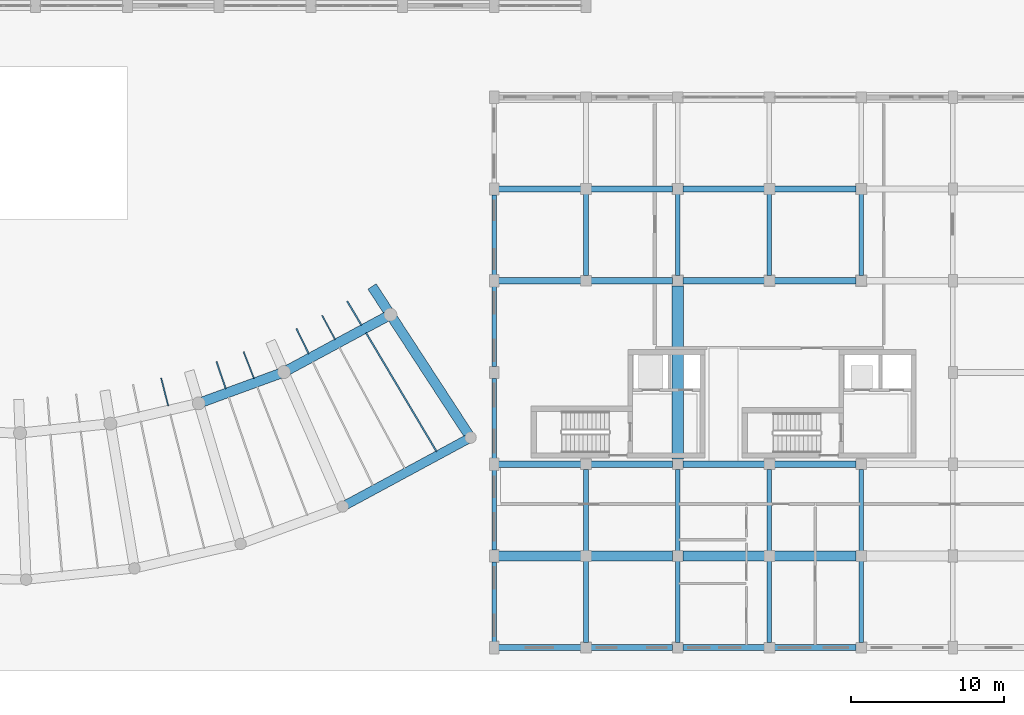
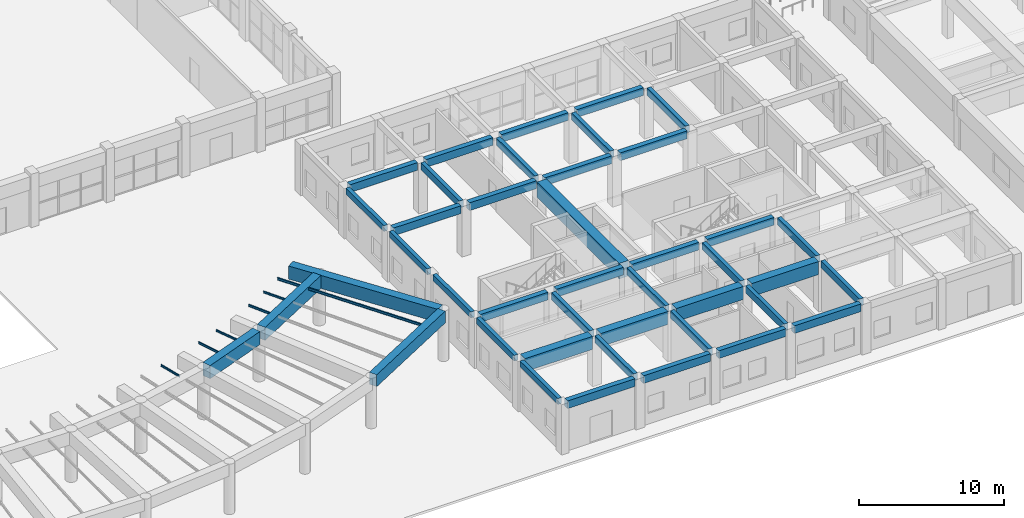
# One storey, part 14 of 76: 49 beams.
"""IFC4 building model written with IfcOpenShell, lengths in metres."""

from ifc_helpers import new_model, si_unit, direction, frame, origin, origin_2d, place, context, subcontext, project, spatial, rectangle, i_section, extrude, material, material_profile, profile_set, type_object, element, save


model = new_model("IFC4")

# Units and contexts
model_context = context("Model", 3, precision=1e-05, world=origin(), true_north=direction((0.0, 1.0)))
body_context = subcontext(model_context, "Body", "Model", "MODEL_VIEW")
ifc_project = project(units=[si_unit("LENGTHUNIT", "METRE"), si_unit("AREAUNIT", "SQUARE_METRE"), si_unit("VOLUMEUNIT", "CUBIC_METRE"), si_unit("PLANEANGLEUNIT", "RADIAN"), si_unit("MASSUNIT", "GRAM", prefix="KILO"), si_unit("POWERUNIT", "WATT"), si_unit("THERMODYNAMICTEMPERATUREUNIT", "KELVIN")], contexts=[model_context])

# Site, building, storey
site_placement = place(None, origin())
site = spatial("IfcSite", under=ifc_project, at=site_placement, CompositionType="ELEMENT")
building_placement = place(site_placement, origin())
building = spatial("IfcBuilding", under=site, at=building_placement, Name="Ruvembo Vaulted Housing Court", CompositionType="ELEMENT")
storey_placement = place(building_placement, origin())
storey = spatial("IfcBuildingStorey", under=building, at=storey_placement, Name="L00", CompositionType="ELEMENT", Elevation=0.0)

# Beams
ifc_material_1 = material(Name="Concrete C35/45", Category="concrete")
ifc_material_profile_1 = material_profile(ifc_material_1, rectangle(XDim=0.300048828125, YDim=0.60009765625, at=origin_2d()), Name="RC 300x600")
ifc_profile_set_1 = profile_set([ifc_material_profile_1], Name="Concrete C35/45")
beam_type_1 = type_object("IfcBeamType", Name="BM-RC-300x600", PredefinedType="BEAM", material=ifc_profile_set_1)
for number, where, z_axis, x_axis, name in (
    (1, (108.0, 0.3349609375, 3.929931640625), (0.0, 1.0, 0.0), (-1.0, 0.0, 0.0), "L00 Grid Beam Y #1041"),
    (2, (108.0, 6.3349609375, 3.929931640625), (0.0, 1.0, 0.0), (-1.0, 0.0, 0.0), "L00 Grid Beam Y #1042"),
    (3, (108.0, 24.3349609375, 3.929931640625), (0.0, 1.0, 0.0), (-1.0, 0.0, 0.0), "L00 Grid Beam Y #1043"),
    (4, (114.0, 0.3349609375, 3.929931640625), (0.0, 1.0, 0.0), (-1.0, 0.0, 0.0), "L00 Grid Beam Y #1049"),
    (5, (114.0, 6.3349609375, 3.929931640625), (0.0, 1.0, 0.0), (-1.0, 0.0, 0.0), "L00 Grid Beam Y #1050"),
    (6, (114.0, 24.3349609375, 3.929931640625), (0.0, 1.0, 0.0), (-1.0, 0.0, 0.0), "L00 Grid Beam Y #1052"),
    (7, (120.0, 0.3349609375, 3.929931640625), (0.0, 1.0, 0.0), (-1.0, 0.0, 0.0), "L00 Grid Beam Y #1054"),
    (8, (120.0, 6.3349609375, 3.929931640625), (0.0, 1.0, 0.0), (-1.0, 0.0, 0.0), "L00 Grid Beam Y #1055"),
    (9, (120.0, 24.3349609375, 3.929931640625), (0.0, 1.0, 0.0), (-1.0, 0.0, 0.0), "L00 Grid Beam Y #1056"),
    (10, (126.0, 0.3349609375, 3.929931640625), (0.0, 1.0, 0.0), (-1.0, 0.0, 0.0), "L00 Grid Beam Y #1058"),
    (11, (126.0, 6.3349609375, 3.929931640625), (0.0, 1.0, 0.0), (-1.0, 0.0, 0.0), "L00 Grid Beam Y #1059"),
    (12, (126.0, 24.3349609375, 3.929931640625), (0.0, 1.0, 0.0), (-1.0, 0.0, 0.0), "L00 Grid Beam Y #1060"),
):
    element("IfcBeam", number, at=place(storey_placement, frame(where, z_axis=z_axis, x_axis=x_axis)), inside=storey, type_object=beam_type_1, Name=name, PredefinedType="BEAM", context=body_context, shape_type="SweptSolid", body=[
        extrude(rectangle(XDim=0.300048828125, YDim=0.60009765625, at=origin_2d()), origin(), (0.0, 0.0, 1.0), 5.330078125),
    ])
ifc_material_profile_2 = material_profile(ifc_material_1, rectangle(XDim=0.39990234375, YDim=0.64990234375, at=origin_2d()), Name="RC 400x650")
ifc_profile_set_2 = profile_set([ifc_material_profile_2], Name="Concrete C35/45")
beam_type_2 = type_object("IfcBeamType", Name="BM-RC-400x650", PredefinedType="BEAM", material=ifc_profile_set_2)
beam_1_placement = place(storey_placement, frame((102.284912109375, 0.0, 3.905029296875), z_axis=(1.0, 0.0, 0.0), x_axis=(0.0, 1.0, 0.0)))
element("IfcBeam", 13, at=beam_1_placement, inside=storey, type_object=beam_type_2, Name="L00 Grid Beam X #734", PredefinedType="BEAM", context=body_context, shape_type="SweptSolid", body=[
    extrude(rectangle(XDim=0.39990234375, YDim=0.64990234375, at=origin_2d()), origin(), (0.0, 0.0, 1.0), 5.380126953125),
])
for number, where, z_axis, x_axis, name in (
    (14, (108.3349609375, 0.0, 3.905029296875), (1.0, 0.0, 0.0), (0.0, 1.0, 0.0), "L00 Grid Beam X #735"),
    (15, (114.3349609375, 0.0, 3.905029296875), (1.0, 0.0, 0.0), (0.0, 1.0, 0.0), "L00 Grid Beam X #736"),
    (16, (120.3349609375, 0.0, 3.905029296875), (1.0, 0.0, 0.0), (0.0, 1.0, 0.0), "L00 Grid Beam X #737"),
):
    element("IfcBeam", number, at=place(storey_placement, frame(where, z_axis=z_axis, x_axis=x_axis)), inside=storey, type_object=beam_type_2, Name=name, PredefinedType="BEAM", context=body_context, shape_type="SweptSolid", body=[
        extrude(rectangle(XDim=0.39990234375, YDim=0.64990234375, at=origin_2d()), origin(), (0.0, 0.0, 1.0), 5.330078125),
    ])
beam_2_placement = place(storey_placement, frame((102.284912109375, 12.0, 3.905029296875), z_axis=(1.0, 0.0, 0.0), x_axis=(0.0, 1.0, 0.0)))
element("IfcBeam", 17, at=beam_2_placement, inside=storey, type_object=beam_type_2, Name="L00 Grid Beam X #765", PredefinedType="BEAM", context=body_context, shape_type="SweptSolid", body=[
    extrude(rectangle(XDim=0.39990234375, YDim=0.64990234375, at=origin_2d()), origin(), (0.0, 0.0, 1.0), 5.380126953125),
])
for number, where, z_axis, x_axis, name in (
    (18, (108.3349609375, 12.0, 3.905029296875), (1.0, 0.0, 0.0), (0.0, 1.0, 0.0), "L00 Grid Beam X #766"),
    (19, (114.3349609375, 12.0, 3.905029296875), (1.0, 0.0, 0.0), (0.0, 1.0, 0.0), "L00 Grid Beam X #767"),
    (20, (120.3349609375, 12.0, 3.905029296875), (1.0, 0.0, 0.0), (0.0, 1.0, 0.0), "L00 Grid Beam X #768"),
):
    element("IfcBeam", number, at=place(storey_placement, frame(where, z_axis=z_axis, x_axis=x_axis)), inside=storey, type_object=beam_type_2, Name=name, PredefinedType="BEAM", context=body_context, shape_type="SweptSolid", body=[
        extrude(rectangle(XDim=0.39990234375, YDim=0.64990234375, at=origin_2d()), origin(), (0.0, 0.0, 1.0), 5.330078125),
    ])
beam_3_placement = place(storey_placement, frame((102.284912109375, 24.0, 3.905029296875), z_axis=(1.0, 0.0, 0.0), x_axis=(0.0, 1.0, 0.0)))
element("IfcBeam", 21, at=beam_3_placement, inside=storey, type_object=beam_type_2, Name="L00 Grid Beam X #786", PredefinedType="BEAM", context=body_context, shape_type="SweptSolid", body=[
    extrude(rectangle(XDim=0.39990234375, YDim=0.64990234375, at=origin_2d()), origin(), (0.0, 0.0, 1.0), 5.380126953125),
])
for number, where, z_axis, x_axis, name in (
    (22, (108.3349609375, 24.0, 3.905029296875), (1.0, 0.0, 0.0), (0.0, 1.0, 0.0), "L00 Grid Beam X #787"),
    (23, (114.3349609375, 24.0, 3.905029296875), (1.0, 0.0, 0.0), (0.0, 1.0, 0.0), "L00 Grid Beam X #788"),
    (24, (120.3349609375, 24.0, 3.905029296875), (1.0, 0.0, 0.0), (0.0, 1.0, 0.0), "L00 Grid Beam X #789"),
):
    element("IfcBeam", number, at=place(storey_placement, frame(where, z_axis=z_axis, x_axis=x_axis)), inside=storey, type_object=beam_type_2, Name=name, PredefinedType="BEAM", context=body_context, shape_type="SweptSolid", body=[
        extrude(rectangle(XDim=0.39990234375, YDim=0.64990234375, at=origin_2d()), origin(), (0.0, 0.0, 1.0), 5.330078125),
    ])
beam_4_placement = place(storey_placement, frame((102.284912109375, 30.0, 3.905029296875), z_axis=(1.0, 0.0, 0.0), x_axis=(0.0, 1.0, 0.0)))
element("IfcBeam", 25, at=beam_4_placement, inside=storey, type_object=beam_type_2, Name="L00 Grid Beam X #798", PredefinedType="BEAM", context=body_context, shape_type="SweptSolid", body=[
    extrude(rectangle(XDim=0.39990234375, YDim=0.64990234375, at=origin_2d()), origin(), (0.0, 0.0, 1.0), 5.380126953125),
])
for number, where, z_axis, x_axis, name in (
    (26, (108.3349609375, 30.0, 3.905029296875), (1.0, 0.0, 0.0), (0.0, 1.0, 0.0), "L00 Grid Beam X #799"),
    (27, (114.3349609375, 30.0, 3.905029296875), (1.0, 0.0, 0.0), (0.0, 1.0, 0.0), "L00 Grid Beam X #800"),
    (28, (120.3349609375, 30.0, 3.905029296875), (1.0, 0.0, 0.0), (0.0, 1.0, 0.0), "L00 Grid Beam X #801"),
):
    element("IfcBeam", number, at=place(storey_placement, frame(where, z_axis=z_axis, x_axis=x_axis)), inside=storey, type_object=beam_type_2, Name=name, PredefinedType="BEAM", context=body_context, shape_type="SweptSolid", body=[
        extrude(rectangle(XDim=0.39990234375, YDim=0.64990234375, at=origin_2d()), origin(), (0.0, 0.0, 1.0), 5.330078125),
    ])
ifc_material_2 = material(Name="Steel S355J2", Category="steel")
ifc_material_profile_3 = material_profile(ifc_material_2, i_section(OverallWidth=0.08203125, OverallDepth=0.159912109375, WebThickness=0.0048828125, FlangeThickness=0.00732421875, FilletRadius=0.009033203125, at=origin_2d()), Name="IPE 160")
ifc_profile_set_3 = profile_set([ifc_material_profile_3], Name="Steel S355J2")
beam_type_3 = type_object("IfcBeamType", Name="BM-ST-IPE160", PredefinedType="JOIST", material=ifc_profile_set_3)
for number, where, z_axis, x_axis, name in (
    (29, (80.67138671875, 15.813720703125, 4.159912109375), (-0.245042977892, 0.969512217038, 0.0), (-0.969512217038, -0.245042977892, 0.0), "Scoop SC2 L00 Radial Balcony Outrigger Joist 20"),
    (30, (86.283447265625, 17.607666015625, 4.159912109375), (-0.362791239677, 0.931870439715, 0.0), (-0.931870439715, -0.362791239677, 0.0), "Scoop SC2 L00 Radial Balcony Outrigger Joist 23"),
):
    element("IfcBeam", number, at=place(storey_placement, frame(where, z_axis=z_axis, x_axis=x_axis)), inside=storey, type_object=beam_type_3, Name=name, PredefinedType="JOIST", context=body_context, shape_type="SweptSolid", body=[
        extrude(i_section(OverallWidth=0.08203125, OverallDepth=0.159912109375, WebThickness=0.0048828125, FlangeThickness=0.00732421875, FilletRadius=0.009033203125, at=origin_2d()), origin(), (0.0, 0.0, 1.0), 1.878173828125),
    ])
beam_5_placement = place(storey_placement, frame((91.592529296875, 20.15234375, 4.159912109375), z_axis=(-0.475039499403, 0.87996447315, 0.0), x_axis=(-0.87996447315, -0.475039499403, 0.0)))
element("IfcBeam", 31, at=beam_5_placement, inside=storey, type_object=beam_type_3, Name="Scoop SC2 L00 Radial Balcony Outrigger Joist 26", PredefinedType="JOIST", context=body_context, shape_type="SweptSolid", body=[
    extrude(i_section(OverallWidth=0.08203125, OverallDepth=0.159912109375, WebThickness=0.0048828125, FlangeThickness=0.00732421875, FilletRadius=0.009033203125, at=origin_2d()), origin(), (0.0, 0.0, 1.0), 1.796630859375),
])
ifc_material_profile_4 = material_profile(ifc_material_2, i_section(OverallWidth=0.091064453125, OverallDepth=0.179931640625, WebThickness=0.00537109375, FlangeThickness=0.008056640625, FilletRadius=0.009033203125, at=origin_2d()), Name="IPE 180")
ifc_profile_set_4 = profile_set([ifc_material_profile_4], Name="Steel S355J2")
beam_type_4 = type_object("IfcBeamType", Name="BM-ST-IPE180", PredefinedType="JOIST", material=ifc_profile_set_4)
beam_6_placement = place(storey_placement, frame((84.43798828125, 16.9326171875, 4.14990234375), z_axis=(-0.324055129056, 0.946038198665, 0.0), x_axis=(-0.946038198665, -0.324055129056, 0.0)))
element("IfcBeam", 32, at=beam_6_placement, inside=storey, type_object=beam_type_4, Name="Scoop SC2 L00 Radial Balcony Outrigger Joist 22", PredefinedType="JOIST", context=body_context, shape_type="SweptSolid", body=[
    extrude(i_section(OverallWidth=0.091064453125, OverallDepth=0.179931640625, WebThickness=0.00537109375, FlangeThickness=0.008056640625, FilletRadius=0.009033203125, at=origin_2d()), origin(), (0.0, 0.0, 1.0), 1.878173828125),
])
beam_7_placement = place(storey_placement, frame((89.865478515625, 19.2197265625, 4.14990234375), z_axis=(-0.438475988144, 0.898742904184, 0.0), x_axis=(-0.898742904184, -0.438475988144, 0.0)))
element("IfcBeam", 33, at=beam_7_placement, inside=storey, type_object=beam_type_4, Name="Scoop SC2 L00 Radial Balcony Outrigger Joist 25", PredefinedType="JOIST", context=body_context, shape_type="SweptSolid", body=[
    extrude(i_section(OverallWidth=0.091064453125, OverallDepth=0.179931640625, WebThickness=0.00537109375, FlangeThickness=0.008056640625, FilletRadius=0.009033203125, at=origin_2d()), origin(), (0.0, 0.0, 1.0), 1.83740234375),
])
ifc_material_profile_5 = material_profile(ifc_material_2, i_section(OverallWidth=0.10009765625, OverallDepth=0.199951171875, WebThickness=0.005615234375, FlangeThickness=0.008544921875, FilletRadius=0.011962890625, at=origin_2d()), Name="IPE 200")
ifc_profile_set_5 = profile_set([ifc_material_profile_5], Name="Steel S355J2")
beam_type_5 = type_object("IfcBeamType", Name="BM-ST-IPE200", PredefinedType="BEAM", material=ifc_profile_set_5)
beam_8_placement = place(storey_placement, frame((98.227783203125, 12.827880859375, 4.139892578125), z_axis=(-0.510930950578, 0.859621756205, 0.0), x_axis=(-0.859621756205, -0.510930950578, 0.0)))
element("IfcBeam", 34, at=beam_8_placement, inside=storey, type_object=beam_type_5, Name="Scoop SC2 L00 Interior Radial Joist 27", PredefinedType="BEAM", context=body_context, shape_type="SweptSolid", body=[
    extrude(i_section(OverallWidth=0.10009765625, OverallDepth=0.199951171875, WebThickness=0.005615234375, FlangeThickness=0.008544921875, FilletRadius=0.011962890625, at=origin_2d()), origin(), (0.0, 0.0, 1.0), 9.04541015625),
])
beam_9_placement = place(storey_placement, frame((93.320068359375, 21.084716796875, 4.139892578125), z_axis=(-0.51097458022, 0.85959582268, 0.0), x_axis=(-0.85959582268, -0.51097458022, 0.0)))
element("IfcBeam", 35, at=beam_9_placement, inside=storey, type_object=beam_type_5, Name="Scoop SC2 L00 Radial Balcony Outrigger Joist 27", PredefinedType="BEAM", context=body_context, shape_type="SweptSolid", body=[
    extrude(i_section(OverallWidth=0.10009765625, OverallDepth=0.199951171875, WebThickness=0.005615234375, FlangeThickness=0.008544921875, FilletRadius=0.011962890625, at=origin_2d()), origin(), (0.0, 0.0, 1.0), 1.837646484375),
])
ifc_material_profile_6 = material_profile(ifc_material_1, rectangle(XDim=0.300048828125, YDim=0.5, at=origin_2d()), Name="RC 300x500")
ifc_profile_set_6 = profile_set([ifc_material_profile_6], Name="Concrete C35/45")
beam_type_6 = type_object("IfcBeamType", Name="SP-RC-300x500", PredefinedType="SPANDREL", material=ifc_profile_set_6)
for number, where, z_axis, x_axis, name in (
    (36, (102.0, 0.385009765625, 3.97998046875), (0.0, 1.0, 0.0), (-1.0, 0.0, 0.0), "L00 Grid Beam Y #1035"),
    (37, (102.0, 6.385009765625, 3.97998046875), (0.0, 1.0, 0.0), (-1.0, 0.0, 0.0), "L00 Grid Beam Y #1036"),
    (38, (102.0, 12.385009765625, 3.97998046875), (0.0, 1.0, 0.0), (-1.0, 0.0, 0.0), "L00 Grid Beam Y #1037"),
    (39, (102.0, 18.385009765625, 3.97998046875), (0.0, 1.0, 0.0), (-1.0, 0.0, 0.0), "L00 Grid Beam Y #1038"),
    (40, (102.0, 24.385009765625, 3.97998046875), (0.0, 1.0, 0.0), (-1.0, 0.0, 0.0), "L00 Grid Beam Y #1039"),
):
    element("IfcBeam", number, at=place(storey_placement, frame(where, z_axis=z_axis, x_axis=x_axis)), inside=storey, type_object=beam_type_6, Name=name, PredefinedType="SPANDREL", context=body_context, shape_type="SweptSolid", body=[
        extrude(rectangle(XDim=0.300048828125, YDim=0.5, at=origin_2d()), origin(), (0.0, 0.0, 1.0), 5.22998046875),
    ])
ifc_material_3 = material(Name="Concrete C40/50", Category="concrete")
ifc_material_profile_7 = material_profile(ifc_material_3, rectangle(XDim=0.60009765625, YDim=1.0, at=origin_2d()), Name="RC 600x1000")
ifc_profile_set_7 = profile_set([ifc_material_profile_7], Name="Concrete C40/50")
beam_type_7 = type_object("IfcBeamType", Name="TB-RC-600x1000", PredefinedType="BEAM", material=ifc_profile_set_7)
beam_10_placement = place(storey_placement, frame((92.3046875, 9.34619140625, 3.748046875), z_axis=(0.879951367728, 0.475063775122, 0.0), x_axis=(-0.475063775122, 0.879951367728, 0.0)))
element("IfcBeam", 41, at=beam_10_placement, inside=storey, type_object=beam_type_7, Name="Scoop SC2 Pilotis Transfer Girder B24", PredefinedType="BEAM", context=body_context, shape_type="SweptSolid", body=[
    extrude(rectangle(XDim=0.60009765625, YDim=1.0, at=origin_2d()), origin(), (0.0, 0.0, 1.0), 9.013916015625),
])
ifc_material_profile_8 = material_profile(ifc_material_3, rectangle(XDim=0.64990234375, YDim=1.10009765625, at=origin_2d()), Name="RC 650x1100")
ifc_profile_set_8 = profile_set([ifc_material_profile_8], Name="Concrete C40/50")
beam_type_8 = type_object("IfcBeamType", Name="TB-RC-650x1100", PredefinedType="BEAM", material=ifc_profile_set_8)
beam_11_placement = place(storey_placement, frame((102.284912109375, 6.0, 3.679931640625), z_axis=(1.0, 0.0, 0.0), x_axis=(0.0, 1.0, 0.0)))
element("IfcBeam", 42, at=beam_11_placement, inside=storey, type_object=beam_type_8, Name="L00 Grid Beam X #746", PredefinedType="BEAM", context=body_context, shape_type="SweptSolid", body=[
    extrude(rectangle(XDim=0.64990234375, YDim=1.10009765625, at=origin_2d()), origin(), (0.0, 0.0, 1.0), 5.380126953125),
])
for number, where, z_axis, x_axis, name in (
    (43, (108.3349609375, 6.0, 3.679931640625), (1.0, 0.0, 0.0), (0.0, 1.0, 0.0), "L00 Grid Beam X #747"),
    (44, (114.3349609375, 6.0, 3.679931640625), (1.0, 0.0, 0.0), (0.0, 1.0, 0.0), "L00 Grid Beam X #748"),
    (45, (120.3349609375, 6.0, 3.679931640625), (1.0, 0.0, 0.0), (0.0, 1.0, 0.0), "L00 Grid Beam X #749"),
):
    element("IfcBeam", number, at=place(storey_placement, frame(where, z_axis=z_axis, x_axis=x_axis)), inside=storey, type_object=beam_type_8, Name=name, PredefinedType="BEAM", context=body_context, shape_type="SweptSolid", body=[
        extrude(rectangle(XDim=0.64990234375, YDim=1.10009765625, at=origin_2d()), origin(), (0.0, 0.0, 1.0), 5.330078125),
    ])
beam_12_placement = place(storey_placement, frame((82.93212890625, 16.083740234375, 3.697998046875), z_axis=(0.93915143665, 0.34350339014, 0.0), x_axis=(-0.34350339014, 0.93915143665, 0.0)))
element("IfcBeam", 46, at=beam_12_placement, inside=storey, type_object=beam_type_8, Name="Scoop SC2 Pilotis Transfer Girder F21", PredefinedType="BEAM", context=body_context, shape_type="SweptSolid", body=[
    extrude(rectangle(XDim=0.64990234375, YDim=1.10009765625, at=origin_2d()), origin(), (0.0, 0.0, 1.0), 5.376708984375),
])
beam_13_placement = place(storey_placement, frame((88.4912109375, 18.159912109375, 3.697998046875), z_axis=(0.87995232275, 0.475062006149, 0.0), x_axis=(-0.475062006149, 0.87995232275, 0.0)))
element("IfcBeam", 47, at=beam_13_placement, inside=storey, type_object=beam_type_8, Name="Scoop SC2 Pilotis Transfer Girder F24", PredefinedType="BEAM", context=body_context, shape_type="SweptSolid", body=[
    extrude(rectangle(XDim=0.64990234375, YDim=1.10009765625, at=origin_2d()), origin(), (0.0, 0.0, 1.0), 7.3515625),
])
beam_14_placement = place(storey_placement, frame((100.31689453125, 13.943603515625, 3.697998046875), z_axis=(-0.5459849311, 0.837794995815, 0.0), x_axis=(-0.837794995815, -0.5459849311, 0.0)))
element("IfcBeam", 48, at=beam_14_placement, inside=storey, type_object=beam_type_8, Name="Scoop SC2 Radial Pilotis Transfer Girder 28", PredefinedType="BEAM", context=body_context, shape_type="SweptSolid", body=[
    extrude(rectangle(XDim=0.64990234375, YDim=1.10009765625, at=origin_2d()), origin(), (0.0, 0.0, 1.0), 11.559814453125),
])
ifc_material_profile_9 = material_profile(ifc_material_3, rectangle(XDim=0.75, YDim=1.300048828125, at=origin_2d()), Name="RC 750x1300")
ifc_profile_set_9 = profile_set([ifc_material_profile_9], Name="Concrete C40/50")
beam_type_9 = type_object("IfcBeamType", Name="TB-RC-750x1300", PredefinedType="BEAM", material=ifc_profile_set_9)
beam_15_placement = place(storey_placement, frame((114.0, 12.3349609375, 3.580078125), z_axis=(0.0, 1.0, 0.0), x_axis=(-1.0, 0.0, 0.0)))
element("IfcBeam", 49, at=beam_15_placement, inside=storey, type_object=beam_type_9, Name="L00 Grid Beam Y #1051", PredefinedType="BEAM", context=body_context, shape_type="SweptSolid", body=[
    extrude(rectangle(XDim=0.75, YDim=1.300048828125, at=origin_2d()), origin(), (0.0, 0.0, 1.0), 11.330078125),
])

save(model, "model.ifc")
